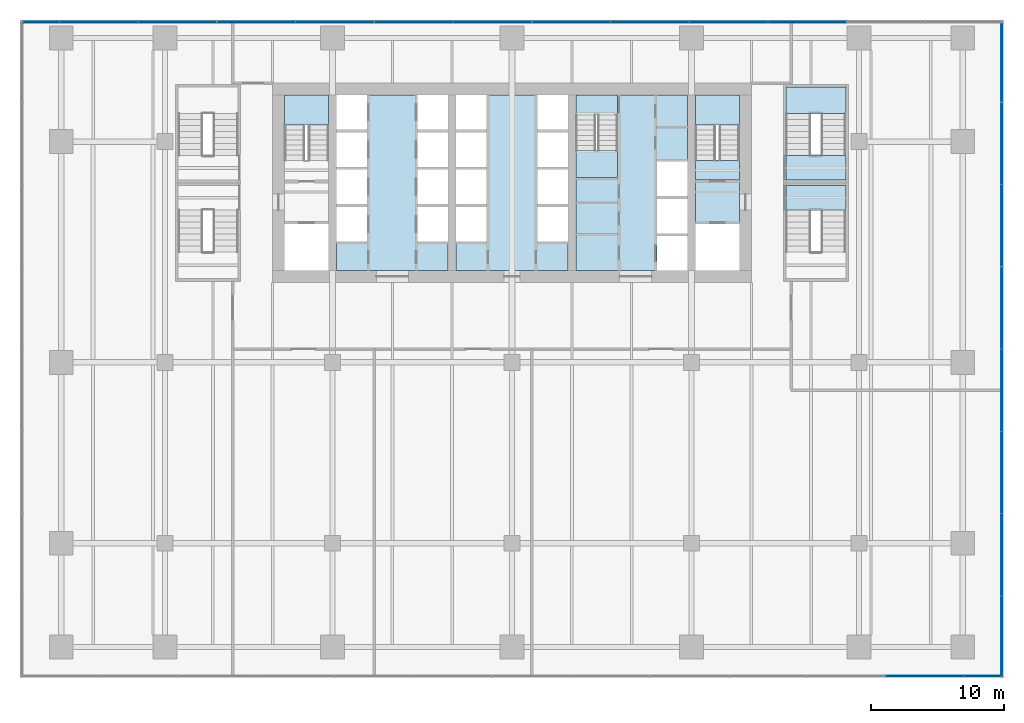
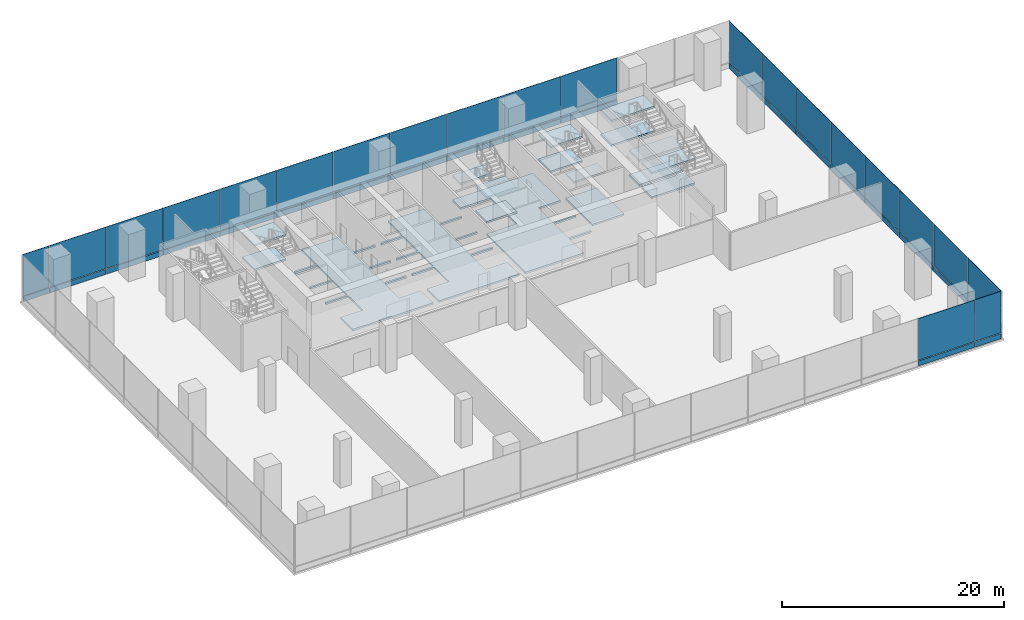
# One storey, part 18 of 26: 42 plates, 18 slabs, 8 elements without a shape of their own.
"""IFC4 building model written with IfcOpenShell, lengths in metres."""

from ifc_helpers import new_model, si_unit, direction, frame, origin, origin_2d, place, context, subcontext, project, spatial, polyline, rectangle, outline, extrude, material, layer, layer_set, type_object, element, aggregate, save


model = new_model("IFC4")

# Units and contexts
model_context = context("Model", 3, precision=1e-05, world=origin(), true_north=direction((0.0, 1.0)))
body_context = subcontext(model_context, "Body", "Model", "MODEL_VIEW")
ifc_project = project(units=[si_unit("LENGTHUNIT", "METRE"), si_unit("AREAUNIT", "SQUARE_METRE"), si_unit("VOLUMEUNIT", "CUBIC_METRE"), si_unit("PLANEANGLEUNIT", "RADIAN"), si_unit("MASSUNIT", "GRAM", prefix="KILO")], contexts=[model_context])

# Site, building, storey
site_placement = place(None, origin())
site = spatial("IfcSite", under=ifc_project, at=site_placement, CompositionType="ELEMENT")
building_placement = place(site_placement, origin())
building = spatial("IfcBuilding", under=site, at=building_placement, Name="Rattan Terrace Tower", CompositionType="ELEMENT")
storey_placement = place(building_placement, frame((0.0, 0.0, 7.199951171875)))
storey = spatial("IfcBuildingStorey", under=building, at=storey_placement, Name="L01", CompositionType="ELEMENT", Elevation=7.199951171875)

# Stair, slabs
ifc_material_1 = material(Name="Concrete C40/50", Category="concrete")
stair_type_1 = type_object("IfcStairType", Name="Core exit stair 1500", PredefinedType="HALF_TURN_STAIR", material=ifc_material_1)
stair_1_placement = place(storey_placement, origin())
stair_1 = element("IfcStair", 1, at=stair_1_placement, inside=storey, type_object=stair_type_1, Name="L01 exit stair 1", PredefinedType="HALF_TURN_STAIR")
ifc_material_2 = material(Name="Concrete C40/50", Category="concrete")
ifc_layer_1 = layer(ifc_material_2, 0.199951171875)
ifc_layer_set_1 = layer_set([ifc_layer_1], Name="Core exit stair landing")
slab_type_1 = type_object("IfcSlabType", Name="Core exit stair landing", PredefinedType="LANDING", material=ifc_layer_set_1)
slab_1_placement = place(storey_placement, frame((0.0, 0.0, 1.150146484375)))
slab_1 = element("IfcSlab", 2, at=slab_1_placement, type_object=slab_type_1, Name="S1 landing 1", PredefinedType="LANDING", context=body_context, shape_type="SweptSolid", body=[
    extrude(outline(polyline([(-13.800048828125, 4.360107421875), (-13.800048828125, 6.60009765625), (-17.10009765625, 6.60009765625), (-17.10009765625, 4.360107421875), (-13.800048828125, 4.360107421875)])), origin(), (0.0, 0.0, 1.0), 0.199951171875),
])
slab_2_placement = place(storey_placement, frame((0.0, 0.0, 3.85009765625)))
slab_2 = element("IfcSlab", 3, at=slab_2_placement, type_object=slab_type_1, Name="S1 landing 3", PredefinedType="LANDING", context=body_context, shape_type="SweptSolid", body=[
    extrude(outline(polyline([(-13.800048828125, 4.360107421875), (-13.800048828125, 6.60009765625), (-17.10009765625, 6.60009765625), (-17.10009765625, 4.360107421875), (-13.800048828125, 4.360107421875)])), origin(), (0.0, 0.0, 1.0), 0.199951171875),
])
aggregate(stair_1, [slab_1, slab_2])

stair_2_placement = place(storey_placement, origin())
stair_2 = element("IfcStair", 4, at=stair_2_placement, inside=storey, type_object=stair_type_1, Name="L01 exit stair 2", PredefinedType="HALF_TURN_STAIR")
slab_3_placement = place(storey_placement, frame((0.0, 0.0, 1.150146484375)))
slab_3 = element("IfcSlab", 5, at=slab_3_placement, type_object=slab_type_1, Name="S2 landing 1", PredefinedType="LANDING", context=body_context, shape_type="SweptSolid", body=[
    extrude(outline(polyline([(17.10009765625, 4.360107421875), (17.10009765625, 6.60009765625), (13.800048828125, 6.60009765625), (13.800048828125, 4.360107421875), (17.10009765625, 4.360107421875)])), origin(), (0.0, 0.0, 1.0), 0.199951171875),
])
slab_4_placement = place(storey_placement, frame((0.0, 0.0, 2.5)))
slab_4 = element("IfcSlab", 6, at=slab_4_placement, type_object=slab_type_1, Name="S2 landing 2", PredefinedType="LANDING", context=body_context, shape_type="SweptSolid", body=[
    extrude(outline(polyline([(17.10009765625, 0.199951171875), (17.10009765625, 1.699951171875), (13.800048828125, 1.699951171875), (13.800048828125, 0.199951171875), (17.10009765625, 0.199951171875)])), origin(), (0.0, 0.0, 1.0), 0.199951171875),
])
slab_5_placement = place(storey_placement, frame((0.0, 0.0, 3.85009765625)))
slab_5 = element("IfcSlab", 7, at=slab_5_placement, type_object=slab_type_1, Name="S2 landing 3", PredefinedType="LANDING", context=body_context, shape_type="SweptSolid", body=[
    extrude(outline(polyline([(17.10009765625, 4.360107421875), (17.10009765625, 6.60009765625), (13.800048828125, 6.60009765625), (13.800048828125, 4.360107421875), (17.10009765625, 4.360107421875)])), origin(), (0.0, 0.0, 1.0), 0.199951171875),
])
aggregate(stair_2, [slab_3, slab_4, slab_5])

stair_3_placement = place(storey_placement, origin())
stair_3 = element("IfcStair", 8, at=stair_3_placement, inside=storey, type_object=stair_type_1, Name="L01 exit stair 3", PredefinedType="HALF_TURN_STAIR")
slab_6_placement = place(storey_placement, frame((0.0, 0.0, 1.150146484375)))
slab_6 = element("IfcSlab", 9, at=slab_6_placement, type_object=slab_type_1, Name="S3 landing 1", PredefinedType="LANDING", context=body_context, shape_type="SweptSolid", body=[
    extrude(outline(polyline([(4.800048828125, 2.43994140625), (4.800048828125, 0.39990234375), (7.949951171875, 0.39990234375), (7.949951171875, 2.43994140625), (4.800048828125, 2.43994140625)])), origin(), (0.0, 0.0, 1.0), 0.199951171875),
])
slab_7_placement = place(storey_placement, frame((0.0, 0.0, 2.5)))
slab_7 = element("IfcSlab", 10, at=slab_7_placement, type_object=slab_type_1, Name="S3 landing 2", PredefinedType="LANDING", context=body_context, shape_type="SweptSolid", body=[
    extrude(outline(polyline([(4.800048828125, 6.60009765625), (4.800048828125, 5.10009765625), (7.949951171875, 5.10009765625), (7.949951171875, 6.60009765625), (4.800048828125, 6.60009765625)])), origin(), (0.0, 0.0, 1.0), 0.199951171875),
])
slab_8_placement = place(storey_placement, frame((0.0, 0.0, 3.85009765625)))
slab_8 = element("IfcSlab", 11, at=slab_8_placement, type_object=slab_type_1, Name="S3 landing 3", PredefinedType="LANDING", context=body_context, shape_type="SweptSolid", body=[
    extrude(outline(polyline([(4.800048828125, 2.43994140625), (4.800048828125, 0.39990234375), (7.949951171875, 0.39990234375), (7.949951171875, 2.43994140625), (4.800048828125, 2.43994140625)])), origin(), (0.0, 0.0, 1.0), 0.199951171875),
])
aggregate(stair_3, [slab_6, slab_7, slab_8])

# Stair, slab
ifc_material_3 = material(Name="Concrete C40/50", Category="concrete")
stair_type_2 = type_object("IfcStairType", Name="Core exit stair 1850", PredefinedType="HALF_TURN_STAIR", material=ifc_material_3)
stair_4_placement = place(storey_placement, origin())
stair_4 = element("IfcStair", 12, at=stair_4_placement, inside=storey, type_object=stair_type_2, Name="L01 exit stair 6", PredefinedType="HALF_TURN_STAIR")
slab_9_placement = place(storey_placement, frame((0.0, 0.0, 2.5)))
slab_9 = element("IfcSlab", 13, at=slab_9_placement, type_object=slab_type_1, Name="S6 landing 2", PredefinedType="LANDING", context=body_context, shape_type="SweptSolid", body=[
    extrude(outline(polyline([(20.60009765625, -0.199951171875), (20.60009765625, -2.050048828125), (25.10009765625, -2.050048828125), (25.10009765625, -0.199951171875), (20.60009765625, -0.199951171875)])), origin(), (0.0, 0.0, 1.0), 0.199951171875),
])
aggregate(stair_4, [slab_9])

# Stair, slabs
stair_5_placement = place(storey_placement, origin())
stair_5 = element("IfcStair", 14, at=stair_5_placement, inside=storey, type_object=stair_type_2, Name="L01 exit stair 7", PredefinedType="HALF_TURN_STAIR")
slab_10_placement = place(storey_placement, frame((0.0, 0.0, 1.150146484375)))
slab_10 = element("IfcSlab", 15, at=slab_10_placement, type_object=slab_type_1, Name="S7 landing 1", PredefinedType="LANDING", context=body_context, shape_type="SweptSolid", body=[
    extrude(outline(polyline([(25.10009765625, 5.199951171875), (25.10009765625, 7.199951171875), (20.60009765625, 7.199951171875), (20.60009765625, 5.199951171875), (25.10009765625, 5.199951171875)])), origin(), (0.0, 0.0, 1.0), 0.199951171875),
])
slab_11_placement = place(storey_placement, frame((0.0, 0.0, 2.5)))
slab_11 = element("IfcSlab", 16, at=slab_11_placement, type_object=slab_type_1, Name="S7 landing 2", PredefinedType="LANDING", context=body_context, shape_type="SweptSolid", body=[
    extrude(outline(polyline([(25.10009765625, 0.199951171875), (25.10009765625, 2.050048828125), (20.60009765625, 2.050048828125), (20.60009765625, 0.199951171875), (25.10009765625, 0.199951171875)])), origin(), (0.0, 0.0, 1.0), 0.199951171875),
])
slab_12_placement = place(storey_placement, frame((0.0, 0.0, 3.85009765625)))
slab_12 = element("IfcSlab", 17, at=slab_12_placement, type_object=slab_type_1, Name="S7 landing 3", PredefinedType="LANDING", context=body_context, shape_type="SweptSolid", body=[
    extrude(outline(polyline([(25.10009765625, 5.199951171875), (25.10009765625, 7.199951171875), (20.60009765625, 7.199951171875), (20.60009765625, 5.199951171875), (25.10009765625, 5.199951171875)])), origin(), (0.0, 0.0, 1.0), 0.199951171875),
])
aggregate(stair_5, [slab_10, slab_11, slab_12])

# Slabs
ifc_material_4 = material(Name="Concrete C35/45", Category="concrete")
ifc_layer_2 = layer(ifc_material_4, 0.199951171875)
ifc_layer_set_2 = layer_set([ifc_layer_2], Name="Frame composite floor slab 200")
slab_type_2 = type_object("IfcSlabType", Name="Frame composite floor slab 200", PredefinedType="FLOOR", material=ifc_layer_set_2)
slab_13_placement = place(storey_placement, frame((0.0, 0.0, -0.199951171875)))
element("IfcSlab", 18, at=slab_13_placement, inside=storey, type_object=slab_type_2, Name="Floor slab", PredefinedType="FLOOR", context=body_context, shape_type="SweptSolid", body=[
    extrude(outline(polyline([(-13.199951171875, 4.0), (-13.199951171875, 3.800048828125), (-10.89990234375, 3.800048828125), (-10.89990234375, 1.199951171875), (-13.199951171875, 1.199951171875), (-13.199951171875, 1.0), (-10.89990234375, 1.0), (-10.89990234375, -1.60009765625), (-13.199951171875, -1.60009765625), (-13.199951171875, -1.800048828125), (-10.89990234375, -1.800048828125), (-10.89990234375, -4.39990234375), (-13.199951171875, -4.39990234375), (-13.199951171875, -6.60009765625), (-4.800048828125, -6.60009765625), (-4.800048828125, -4.39990234375), (-7.10009765625, -4.39990234375), (-7.10009765625, -1.800048828125), (-4.800048828125, -1.800048828125), (-4.800048828125, -1.60009765625), (-7.10009765625, -1.60009765625), (-7.10009765625, 1.0), (-4.800048828125, 1.0), (-4.800048828125, 1.199951171875), (-7.10009765625, 1.199951171875), (-7.10009765625, 3.800048828125), (-4.800048828125, 3.800048828125), (-4.800048828125, 4.0), (-7.10009765625, 4.0), (-7.10009765625, 6.60009765625), (-10.89990234375, 6.60009765625), (-10.89990234375, 4.0), (-13.199951171875, 4.0)])), origin(), (0.0, 0.0, 1.0), 0.199951171875),
])
slab_14_placement = place(storey_placement, frame((0.0, 0.0, -0.199951171875)))
element("IfcSlab", 19, at=slab_14_placement, inside=storey, type_object=slab_type_2, Name="Floor slab", PredefinedType="FLOOR", context=body_context, shape_type="SweptSolid", body=[
    extrude(outline(polyline([(-4.199951171875, -6.60009765625), (4.199951171875, -6.60009765625), (4.199951171875, -4.39990234375), (1.89990234375, -4.39990234375), (1.89990234375, -1.800048828125), (4.199951171875, -1.800048828125), (4.199951171875, -1.60009765625), (1.89990234375, -1.60009765625), (1.89990234375, 1.0), (4.199951171875, 1.0), (4.199951171875, 1.199951171875), (1.89990234375, 1.199951171875), (1.89990234375, 3.800048828125), (4.199951171875, 3.800048828125), (4.199951171875, 4.0), (1.89990234375, 4.0), (1.89990234375, 6.60009765625), (-1.89990234375, 6.60009765625), (-1.89990234375, 4.0), (-4.199951171875, 4.0), (-4.199951171875, 3.800048828125), (-1.89990234375, 3.800048828125), (-1.89990234375, 1.199951171875), (-4.199951171875, 1.199951171875), (-4.199951171875, 1.0), (-1.89990234375, 1.0), (-1.89990234375, -1.60009765625), (-4.199951171875, -1.60009765625), (-4.199951171875, -1.800048828125), (-1.89990234375, -1.800048828125), (-1.89990234375, -4.39990234375), (-4.199951171875, -4.39990234375), (-4.199951171875, -6.60009765625)])), origin(), (0.0, 0.0, 1.0), 0.199951171875),
])
slab_15_placement = place(storey_placement, frame((0.0, 0.0, -0.199951171875)))
element("IfcSlab", 20, at=slab_15_placement, inside=storey, type_object=slab_type_2, Name="Floor slab", PredefinedType="FLOOR", context=body_context, shape_type="SweptSolid", body=[
    extrude(outline(polyline([(4.800048828125, -6.60009765625), (10.89990234375, -6.60009765625), (10.89990234375, -4.0), (13.199951171875, -4.0), (13.199951171875, -3.800048828125), (10.89990234375, -3.800048828125), (10.89990234375, -1.199951171875), (13.199951171875, -1.199951171875), (13.199951171875, -1.0), (10.89990234375, -1.0), (10.89990234375, 1.60009765625), (13.199951171875, 1.60009765625), (13.199951171875, 6.60009765625), (4.800048828125, 6.60009765625), (4.800048828125, 5.090087890625), (7.949951171875, 5.090087890625), (7.949951171875, 0.39990234375), (4.800048828125, 0.39990234375), (4.800048828125, -6.60009765625)])), origin(), (0.0, 0.0, 1.0), 0.199951171875),
])
slab_16_placement = place(storey_placement, frame((0.0, 0.0, -0.199951171875)))
element("IfcSlab", 21, at=slab_16_placement, inside=storey, type_object=slab_type_2, Name="Floor slab", PredefinedType="FLOOR", context=body_context, shape_type="SweptSolid", body=[
    extrude(outline(polyline([(17.10009765625, -3.10009765625), (17.10009765625, 1.7099609375), (13.800048828125, 1.7099609375), (13.800048828125, -3.10009765625), (17.10009765625, -3.10009765625)])), origin(), (0.0, 0.0, 1.0), 0.199951171875),
])
slab_17_placement = place(storey_placement, frame((0.0, 0.0, -0.199951171875)))
element("IfcSlab", 22, at=slab_17_placement, inside=storey, type_object=slab_type_2, Name="Floor slab", PredefinedType="FLOOR", context=body_context, shape_type="SweptSolid", body=[
    extrude(outline(polyline([(20.60009765625, -0.199951171875), (20.60009765625, -2.06005859375), (25.10009765625, -2.06005859375), (25.10009765625, -0.199951171875), (20.60009765625, -0.199951171875)])), origin(), (0.0, 0.0, 1.0), 0.199951171875),
])
slab_18_placement = place(storey_placement, frame((0.0, 0.0, -0.199951171875)))
element("IfcSlab", 23, at=slab_18_placement, inside=storey, type_object=slab_type_2, Name="Floor slab", PredefinedType="FLOOR", context=body_context, shape_type="SweptSolid", body=[
    extrude(outline(polyline([(20.60009765625, 0.199951171875), (25.10009765625, 0.199951171875), (25.10009765625, 2.06005859375), (20.60009765625, 2.06005859375), (20.60009765625, 0.199951171875)])), origin(), (0.0, 0.0, 1.0), 0.199951171875),
])

# Curtain wall, plates
ifc_material_5 = material(Name="Aluminium and glass", Category="aluminium")
ifc_layer_3 = layer(ifc_material_5, 0.1201171875)
ifc_layer_set_3 = layer_set([ifc_layer_3], Name="Station Storefront Curtain Wall")
curtain_wall_type = type_object("IfcCurtainWallType", Name="Station Storefront Curtain Wall", PredefinedType="NOTDEFINED", material=ifc_layer_set_3)
curtain_wall_1_placement = place(storey_placement, origin())
curtain_wall_1 = element("IfcCurtainWall", 24, at=curtain_wall_1_placement, inside=storey, type_object=curtain_wall_type, Name="Storefront curtain wall L01-1", PredefinedType="NOTDEFINED")
ifc_material_6 = material(Name="Granite bulkhead panel", Category="masonry")
ifc_layer_4 = layer(ifc_material_6, 0.110107421875)
ifc_layer_set_4 = layer_set([ifc_layer_4], Name="Storefront CW Stone Bulkhead Panel")
plate_type_1 = type_object("IfcPlateType", Name="Storefront CW Stone Bulkhead Panel", PredefinedType="CURTAIN_PANEL", material=ifc_layer_set_4)
plate_1_placement = place(storey_placement, frame((36.830078125, -34.08837890625, 0.0), z_axis=(0.0, 0.0, 1.0), x_axis=(0.0, 1.0, 0.0)))
plate_1 = element("IfcPlate", 25, at=plate_1_placement, type_object=plate_type_1, Name="Panel cwl-L01-001.1.1", PredefinedType="CURTAIN_PANEL", context=body_context, shape_type="SweptSolid", body=[
    extrude(rectangle(XDim=6.0029296875, YDim=0.110107421875, at=origin_2d()), origin(), (0.0, 0.0, 1.0), 0.574951171875),
])
plate_2_placement = place(storey_placement, frame((36.830078125, -27.968017578125, 0.0), z_axis=(0.0, 0.0, 1.0), x_axis=(0.0, 1.0, 0.0)))
plate_2 = element("IfcPlate", 26, at=plate_2_placement, type_object=plate_type_1, Name="Panel cwl-L01-001.2.1", PredefinedType="CURTAIN_PANEL", context=body_context, shape_type="SweptSolid", body=[
    extrude(rectangle(XDim=6.137939453125, YDim=0.110107421875, at=origin_2d()), origin(), (0.0, 0.0, 1.0), 0.574951171875),
])
plate_3_placement = place(storey_placement, frame((36.830078125, -21.780029296875, 0.0), z_axis=(0.0, 0.0, 1.0), x_axis=(0.0, 1.0, 0.0)))
plate_3 = element("IfcPlate", 27, at=plate_3_placement, type_object=plate_type_1, Name="Panel cwl-L01-001.3.1", PredefinedType="CURTAIN_PANEL", context=body_context, shape_type="SweptSolid", body=[
    extrude(rectangle(XDim=6.137939453125, YDim=0.110107421875, at=origin_2d()), origin(), (0.0, 0.0, 1.0), 0.574951171875),
])
plate_4_placement = place(storey_placement, frame((36.830078125, -15.592041015625, 0.0), z_axis=(0.0, 0.0, 1.0), x_axis=(0.0, 1.0, 0.0)))
plate_4 = element("IfcPlate", 28, at=plate_4_placement, type_object=plate_type_1, Name="Panel cwl-L01-001.4.1", PredefinedType="CURTAIN_PANEL", context=body_context, shape_type="SweptSolid", body=[
    extrude(rectangle(XDim=6.137939453125, YDim=0.110107421875, at=origin_2d()), origin(), (0.0, 0.0, 1.0), 0.574951171875),
])
plate_5_placement = place(storey_placement, frame((36.830078125, -9.404052734375, 0.0), z_axis=(0.0, 0.0, 1.0), x_axis=(0.0, 1.0, 0.0)))
plate_5 = element("IfcPlate", 29, at=plate_5_placement, type_object=plate_type_1, Name="Panel cwl-L01-001.5.1", PredefinedType="CURTAIN_PANEL", context=body_context, shape_type="SweptSolid", body=[
    extrude(rectangle(XDim=6.137939453125, YDim=0.110107421875, at=origin_2d()), origin(), (0.0, 0.0, 1.0), 0.574951171875),
])
plate_6_placement = place(storey_placement, frame((36.830078125, -3.216064453125, 0.0), z_axis=(0.0, 0.0, 1.0), x_axis=(0.0, 1.0, 0.0)))
plate_6 = element("IfcPlate", 30, at=plate_6_placement, type_object=plate_type_1, Name="Panel cwl-L01-001.6.1", PredefinedType="CURTAIN_PANEL", context=body_context, shape_type="SweptSolid", body=[
    extrude(rectangle(XDim=6.137939453125, YDim=0.110107421875, at=origin_2d()), origin(), (0.0, 0.0, 1.0), 0.574951171875),
])
plate_7_placement = place(storey_placement, frame((36.830078125, 2.971923828125, 0.0), z_axis=(0.0, 0.0, 1.0), x_axis=(0.0, 1.0, 0.0)))
plate_7 = element("IfcPlate", 31, at=plate_7_placement, type_object=plate_type_1, Name="Panel cwl-L01-001.7.1", PredefinedType="CURTAIN_PANEL", context=body_context, shape_type="SweptSolid", body=[
    extrude(rectangle(XDim=6.137939453125, YDim=0.110107421875, at=origin_2d()), origin(), (0.0, 0.0, 1.0), 0.574951171875),
])
plate_8_placement = place(storey_placement, frame((36.830078125, 9.055419921875, 0.0), z_axis=(0.0, 0.0, 1.0), x_axis=(0.0, 1.0, 0.0)))
plate_8 = element("IfcPlate", 32, at=plate_8_placement, type_object=plate_type_1, Name="Panel cwl-L01-001.8.1", PredefinedType="CURTAIN_PANEL", context=body_context, shape_type="SweptSolid", body=[
    extrude(rectangle(XDim=5.928955078125, YDim=0.110107421875, at=origin_2d()), origin(), (0.0, 0.0, 1.0), 0.574951171875),
])

curtain_wall_2_placement = place(storey_placement, origin())
curtain_wall_2 = element("IfcCurtainWall", 33, at=curtain_wall_2_placement, inside=storey, type_object=curtain_wall_type, Name="Storefront curtain wall L01-2", PredefinedType="NOTDEFINED")
plate_9_placement = place(storey_placement, frame((22.199951171875, 12.080078125, 0.0), z_axis=(0.0, 0.0, 1.0), x_axis=(-1.0, 0.0, 0.0)))
plate_9 = element("IfcPlate", 34, at=plate_9_placement, type_object=plate_type_1, Name="Panel cwl-L01-002.3.1", PredefinedType="CURTAIN_PANEL", context=body_context, shape_type="SweptSolid", body=[
    extrude(rectangle(XDim=5.8701171875, YDim=0.110107421875, at=origin_2d()), origin(), (0.0, 0.0, 1.0), 0.574951171875),
])
plate_10_placement = place(storey_placement, frame((16.280029296875, 12.080078125, 0.0), z_axis=(0.0, 0.0, 1.0), x_axis=(-1.0, 0.0, 0.0)))
plate_10 = element("IfcPlate", 35, at=plate_10_placement, type_object=plate_type_1, Name="Panel cwl-L01-002.4.1", PredefinedType="CURTAIN_PANEL", context=body_context, shape_type="SweptSolid", body=[
    extrude(rectangle(XDim=5.8701171875, YDim=0.110107421875, at=origin_2d()), origin(), (0.0, 0.0, 1.0), 0.574951171875),
])
plate_11_placement = place(storey_placement, frame((10.360107421875, 12.080078125, 0.0), z_axis=(0.0, 0.0, 1.0), x_axis=(-1.0, 0.0, 0.0)))
plate_11 = element("IfcPlate", 36, at=plate_11_placement, type_object=plate_type_1, Name="Panel cwl-L01-002.5.1", PredefinedType="CURTAIN_PANEL", context=body_context, shape_type="SweptSolid", body=[
    extrude(rectangle(XDim=5.8701171875, YDim=0.110107421875, at=origin_2d()), origin(), (0.0, 0.0, 1.0), 0.574951171875),
])
plate_12_placement = place(storey_placement, frame((4.43994140625, 12.080078125, 0.0), z_axis=(0.0, 0.0, 1.0), x_axis=(-1.0, 0.0, 0.0)))
plate_12 = element("IfcPlate", 37, at=plate_12_placement, type_object=plate_type_1, Name="Panel cwl-L01-002.6.1", PredefinedType="CURTAIN_PANEL", context=body_context, shape_type="SweptSolid", body=[
    extrude(rectangle(XDim=5.8701171875, YDim=0.110107421875, at=origin_2d()), origin(), (0.0, 0.0, 1.0), 0.574951171875),
])
plate_13_placement = place(storey_placement, frame((-1.47998046875, 12.080078125, 0.0), z_axis=(0.0, 0.0, 1.0), x_axis=(-1.0, 0.0, 0.0)))
plate_13 = element("IfcPlate", 38, at=plate_13_placement, type_object=plate_type_1, Name="Panel cwl-L01-002.7.1", PredefinedType="CURTAIN_PANEL", context=body_context, shape_type="SweptSolid", body=[
    extrude(rectangle(XDim=5.8701171875, YDim=0.110107421875, at=origin_2d()), origin(), (0.0, 0.0, 1.0), 0.574951171875),
])
plate_14_placement = place(storey_placement, frame((-7.39990234375, 12.080078125, 0.0), z_axis=(0.0, 0.0, 1.0), x_axis=(-1.0, 0.0, 0.0)))
plate_14 = element("IfcPlate", 39, at=plate_14_placement, type_object=plate_type_1, Name="Panel cwl-L01-002.8.1", PredefinedType="CURTAIN_PANEL", context=body_context, shape_type="SweptSolid", body=[
    extrude(rectangle(XDim=5.8701171875, YDim=0.110107421875, at=origin_2d()), origin(), (0.0, 0.0, 1.0), 0.574951171875),
])
plate_15_placement = place(storey_placement, frame((-13.320068359375, 12.080078125, 0.0), z_axis=(0.0, 0.0, 1.0), x_axis=(-1.0, 0.0, 0.0)))
plate_15 = element("IfcPlate", 40, at=plate_15_placement, type_object=plate_type_1, Name="Panel cwl-L01-002.9.1", PredefinedType="CURTAIN_PANEL", context=body_context, shape_type="SweptSolid", body=[
    extrude(rectangle(XDim=5.8701171875, YDim=0.110107421875, at=origin_2d()), origin(), (0.0, 0.0, 1.0), 0.574951171875),
])
plate_16_placement = place(storey_placement, frame((-19.239990234375, 12.080078125, 0.0), z_axis=(0.0, 0.0, 1.0), x_axis=(-1.0, 0.0, 0.0)))
plate_16 = element("IfcPlate", 41, at=plate_16_placement, type_object=plate_type_1, Name="Panel cwl-L01-002.10.1", PredefinedType="CURTAIN_PANEL", context=body_context, shape_type="SweptSolid", body=[
    extrude(rectangle(XDim=5.8701171875, YDim=0.110107421875, at=origin_2d()), origin(), (0.0, 0.0, 1.0), 0.574951171875),
])
plate_17_placement = place(storey_placement, frame((-25.159912109375, 12.080078125, 0.0), z_axis=(0.0, 0.0, 1.0), x_axis=(-1.0, 0.0, 0.0)))
plate_17 = element("IfcPlate", 42, at=plate_17_placement, type_object=plate_type_1, Name="Panel cwl-L01-002.11.1", PredefinedType="CURTAIN_PANEL", context=body_context, shape_type="SweptSolid", body=[
    extrude(rectangle(XDim=5.8701171875, YDim=0.110107421875, at=origin_2d()), origin(), (0.0, 0.0, 1.0), 0.574951171875),
])
plate_18_placement = place(storey_placement, frame((-31.080078125, 12.080078125, 0.0), z_axis=(0.0, 0.0, 1.0), x_axis=(-1.0, 0.0, 0.0)))
plate_18 = element("IfcPlate", 43, at=plate_18_placement, type_object=plate_type_1, Name="Panel cwl-L01-002.12.1", PredefinedType="CURTAIN_PANEL", context=body_context, shape_type="SweptSolid", body=[
    extrude(rectangle(XDim=5.8701171875, YDim=0.110107421875, at=origin_2d()), origin(), (0.0, 0.0, 1.0), 0.574951171875),
])
plate_19_placement = place(storey_placement, frame((-35.41748046875, 12.080078125, 0.0), z_axis=(0.0, 0.0, 1.0), x_axis=(-1.0, 0.0, 0.0)))
plate_19 = element("IfcPlate", 44, at=plate_19_placement, type_object=plate_type_1, Name="Panel cwl-L01-002.13.1", PredefinedType="CURTAIN_PANEL", context=body_context, shape_type="SweptSolid", body=[
    extrude(rectangle(XDim=2.705078125, YDim=0.110107421875, at=origin_2d()), origin(), (0.0, 0.0, 1.0), 0.574951171875),
])

curtain_wall_3_placement = place(storey_placement, origin())
curtain_wall_3 = element("IfcCurtainWall", 45, at=curtain_wall_3_placement, inside=storey, type_object=curtain_wall_type, Name="Storefront curtain wall L01-4", PredefinedType="NOTDEFINED")
plate_20_placement = place(storey_placement, frame((31.080078125, -37.080078125, 0.0), z_axis=(0.0, 0.0, 1.0), x_axis=(1.0, 0.0, 0.0)))
plate_20 = element("IfcPlate", 46, at=plate_20_placement, type_object=plate_type_1, Name="Panel cwl-L01-004.12.1", PredefinedType="CURTAIN_PANEL", context=body_context, shape_type="SweptSolid", body=[
    extrude(rectangle(XDim=5.8701171875, YDim=0.110107421875, at=origin_2d()), origin(), (0.0, 0.0, 1.0), 0.574951171875),
])
plate_21_placement = place(storey_placement, frame((35.41748046875, -37.080078125, 0.0), z_axis=(0.0, 0.0, 1.0), x_axis=(1.0, 0.0, 0.0)))
plate_21 = element("IfcPlate", 47, at=plate_21_placement, type_object=plate_type_1, Name="Panel cwl-L01-004.13.1", PredefinedType="CURTAIN_PANEL", context=body_context, shape_type="SweptSolid", body=[
    extrude(rectangle(XDim=2.705078125, YDim=0.110107421875, at=origin_2d()), origin(), (0.0, 0.0, 1.0), 0.574951171875),
])

# Plate
ifc_material_7 = material(Name="Clear toughened glass", Category="glass")
ifc_layer_5 = layer(ifc_material_7, 0.0439453125)
ifc_layer_set_5 = layer_set([ifc_layer_5], Name="Storefront CW Vision Panel")
plate_type_2 = type_object("IfcPlateType", Name="Storefront CW Vision Panel", PredefinedType="CURTAIN_PANEL", material=ifc_layer_set_5)
plate_22_placement = place(storey_placement, frame((36.830078125, -34.08837890625, 0.625), z_axis=(0.0, 0.0, 1.0), x_axis=(0.0, 1.0, 0.0)))
plate_22 = element("IfcPlate", 48, at=plate_22_placement, type_object=plate_type_2, Name="Panel cwl-L01-001.1.2", PredefinedType="CURTAIN_PANEL", context=body_context, shape_type="SweptSolid", body=[
    extrude(rectangle(XDim=6.0029296875, YDim=0.0439453125, at=origin_2d()), origin(), (0.0, 0.0, 1.0), 4.574951171875),
])

plate_23_placement = place(storey_placement, frame((36.830078125, -27.968017578125, 0.625), z_axis=(0.0, 0.0, 1.0), x_axis=(0.0, 1.0, 0.0)))
plate_23 = element("IfcPlate", 49, at=plate_23_placement, type_object=plate_type_2, Name="Panel cwl-L01-001.2.2", PredefinedType="CURTAIN_PANEL", context=body_context, shape_type="SweptSolid", body=[
    extrude(rectangle(XDim=6.137939453125, YDim=0.0439453125, at=origin_2d()), origin(), (0.0, 0.0, 1.0), 4.574951171875),
])

plate_24_placement = place(storey_placement, frame((36.830078125, -21.780029296875, 0.625), z_axis=(0.0, 0.0, 1.0), x_axis=(0.0, 1.0, 0.0)))
plate_24 = element("IfcPlate", 50, at=plate_24_placement, type_object=plate_type_2, Name="Panel cwl-L01-001.3.2", PredefinedType="CURTAIN_PANEL", context=body_context, shape_type="SweptSolid", body=[
    extrude(rectangle(XDim=6.137939453125, YDim=0.0439453125, at=origin_2d()), origin(), (0.0, 0.0, 1.0), 4.574951171875),
])

plate_25_placement = place(storey_placement, frame((36.830078125, -15.592041015625, 0.625), z_axis=(0.0, 0.0, 1.0), x_axis=(0.0, 1.0, 0.0)))
plate_25 = element("IfcPlate", 51, at=plate_25_placement, type_object=plate_type_2, Name="Panel cwl-L01-001.4.2", PredefinedType="CURTAIN_PANEL", context=body_context, shape_type="SweptSolid", body=[
    extrude(rectangle(XDim=6.137939453125, YDim=0.0439453125, at=origin_2d()), origin(), (0.0, 0.0, 1.0), 4.574951171875),
])

plate_26_placement = place(storey_placement, frame((36.830078125, -9.404052734375, 0.625), z_axis=(0.0, 0.0, 1.0), x_axis=(0.0, 1.0, 0.0)))
plate_26 = element("IfcPlate", 52, at=plate_26_placement, type_object=plate_type_2, Name="Panel cwl-L01-001.5.2", PredefinedType="CURTAIN_PANEL", context=body_context, shape_type="SweptSolid", body=[
    extrude(rectangle(XDim=6.137939453125, YDim=0.0439453125, at=origin_2d()), origin(), (0.0, 0.0, 1.0), 4.574951171875),
])

plate_27_placement = place(storey_placement, frame((36.830078125, -3.216064453125, 0.625), z_axis=(0.0, 0.0, 1.0), x_axis=(0.0, 1.0, 0.0)))
plate_27 = element("IfcPlate", 53, at=plate_27_placement, type_object=plate_type_2, Name="Panel cwl-L01-001.6.2", PredefinedType="CURTAIN_PANEL", context=body_context, shape_type="SweptSolid", body=[
    extrude(rectangle(XDim=6.137939453125, YDim=0.0439453125, at=origin_2d()), origin(), (0.0, 0.0, 1.0), 4.574951171875),
])

plate_28_placement = place(storey_placement, frame((36.830078125, 2.971923828125, 0.625), z_axis=(0.0, 0.0, 1.0), x_axis=(0.0, 1.0, 0.0)))
plate_28 = element("IfcPlate", 54, at=plate_28_placement, type_object=plate_type_2, Name="Panel cwl-L01-001.7.2", PredefinedType="CURTAIN_PANEL", context=body_context, shape_type="SweptSolid", body=[
    extrude(rectangle(XDim=6.137939453125, YDim=0.0439453125, at=origin_2d()), origin(), (0.0, 0.0, 1.0), 4.574951171875),
])

plate_29_placement = place(storey_placement, frame((36.830078125, 9.055419921875, 0.625), z_axis=(0.0, 0.0, 1.0), x_axis=(0.0, 1.0, 0.0)))
plate_29 = element("IfcPlate", 55, at=plate_29_placement, type_object=plate_type_2, Name="Panel cwl-L01-001.8.2", PredefinedType="CURTAIN_PANEL", context=body_context, shape_type="SweptSolid", body=[
    extrude(rectangle(XDim=5.928955078125, YDim=0.0439453125, at=origin_2d()), origin(), (0.0, 0.0, 1.0), 4.574951171875),
])

aggregate(curtain_wall_1, [plate_1, plate_22, plate_2, plate_23, plate_3, plate_24, plate_4, plate_25, plate_5, plate_26, plate_6, plate_27, plate_7, plate_28, plate_8, plate_29])

plate_30_placement = place(storey_placement, frame((22.199951171875, 12.080078125, 0.625), z_axis=(0.0, 0.0, 1.0), x_axis=(-1.0, 0.0, 0.0)))
plate_30 = element("IfcPlate", 56, at=plate_30_placement, type_object=plate_type_2, Name="Panel cwl-L01-002.3.2", PredefinedType="CURTAIN_PANEL", context=body_context, shape_type="SweptSolid", body=[
    extrude(rectangle(XDim=5.8701171875, YDim=0.0439453125, at=origin_2d()), origin(), (0.0, 0.0, 1.0), 4.574951171875),
])

plate_31_placement = place(storey_placement, frame((16.280029296875, 12.080078125, 0.625), z_axis=(0.0, 0.0, 1.0), x_axis=(-1.0, 0.0, 0.0)))
plate_31 = element("IfcPlate", 57, at=plate_31_placement, type_object=plate_type_2, Name="Panel cwl-L01-002.4.2", PredefinedType="CURTAIN_PANEL", context=body_context, shape_type="SweptSolid", body=[
    extrude(rectangle(XDim=5.8701171875, YDim=0.0439453125, at=origin_2d()), origin(), (0.0, 0.0, 1.0), 4.574951171875),
])

plate_32_placement = place(storey_placement, frame((10.360107421875, 12.080078125, 0.625), z_axis=(0.0, 0.0, 1.0), x_axis=(-1.0, 0.0, 0.0)))
plate_32 = element("IfcPlate", 58, at=plate_32_placement, type_object=plate_type_2, Name="Panel cwl-L01-002.5.2", PredefinedType="CURTAIN_PANEL", context=body_context, shape_type="SweptSolid", body=[
    extrude(rectangle(XDim=5.8701171875, YDim=0.0439453125, at=origin_2d()), origin(), (0.0, 0.0, 1.0), 4.574951171875),
])

plate_33_placement = place(storey_placement, frame((4.43994140625, 12.080078125, 0.625), z_axis=(0.0, 0.0, 1.0), x_axis=(-1.0, 0.0, 0.0)))
plate_33 = element("IfcPlate", 59, at=plate_33_placement, type_object=plate_type_2, Name="Panel cwl-L01-002.6.2", PredefinedType="CURTAIN_PANEL", context=body_context, shape_type="SweptSolid", body=[
    extrude(rectangle(XDim=5.8701171875, YDim=0.0439453125, at=origin_2d()), origin(), (0.0, 0.0, 1.0), 4.574951171875),
])

plate_34_placement = place(storey_placement, frame((-1.47998046875, 12.080078125, 0.625), z_axis=(0.0, 0.0, 1.0), x_axis=(-1.0, 0.0, 0.0)))
plate_34 = element("IfcPlate", 60, at=plate_34_placement, type_object=plate_type_2, Name="Panel cwl-L01-002.7.2", PredefinedType="CURTAIN_PANEL", context=body_context, shape_type="SweptSolid", body=[
    extrude(rectangle(XDim=5.8701171875, YDim=0.0439453125, at=origin_2d()), origin(), (0.0, 0.0, 1.0), 4.574951171875),
])

plate_35_placement = place(storey_placement, frame((-7.39990234375, 12.080078125, 0.625), z_axis=(0.0, 0.0, 1.0), x_axis=(-1.0, 0.0, 0.0)))
plate_35 = element("IfcPlate", 61, at=plate_35_placement, type_object=plate_type_2, Name="Panel cwl-L01-002.8.2", PredefinedType="CURTAIN_PANEL", context=body_context, shape_type="SweptSolid", body=[
    extrude(rectangle(XDim=5.8701171875, YDim=0.0439453125, at=origin_2d()), origin(), (0.0, 0.0, 1.0), 4.574951171875),
])

plate_36_placement = place(storey_placement, frame((-13.320068359375, 12.080078125, 0.625), z_axis=(0.0, 0.0, 1.0), x_axis=(-1.0, 0.0, 0.0)))
plate_36 = element("IfcPlate", 62, at=plate_36_placement, type_object=plate_type_2, Name="Panel cwl-L01-002.9.2", PredefinedType="CURTAIN_PANEL", context=body_context, shape_type="SweptSolid", body=[
    extrude(rectangle(XDim=5.8701171875, YDim=0.0439453125, at=origin_2d()), origin(), (0.0, 0.0, 1.0), 4.574951171875),
])

plate_37_placement = place(storey_placement, frame((-19.239990234375, 12.080078125, 0.625), z_axis=(0.0, 0.0, 1.0), x_axis=(-1.0, 0.0, 0.0)))
plate_37 = element("IfcPlate", 63, at=plate_37_placement, type_object=plate_type_2, Name="Panel cwl-L01-002.10.2", PredefinedType="CURTAIN_PANEL", context=body_context, shape_type="SweptSolid", body=[
    extrude(rectangle(XDim=5.8701171875, YDim=0.0439453125, at=origin_2d()), origin(), (0.0, 0.0, 1.0), 4.574951171875),
])

plate_38_placement = place(storey_placement, frame((-25.159912109375, 12.080078125, 0.625), z_axis=(0.0, 0.0, 1.0), x_axis=(-1.0, 0.0, 0.0)))
plate_38 = element("IfcPlate", 64, at=plate_38_placement, type_object=plate_type_2, Name="Panel cwl-L01-002.11.2", PredefinedType="CURTAIN_PANEL", context=body_context, shape_type="SweptSolid", body=[
    extrude(rectangle(XDim=5.8701171875, YDim=0.0439453125, at=origin_2d()), origin(), (0.0, 0.0, 1.0), 4.574951171875),
])

plate_39_placement = place(storey_placement, frame((-31.080078125, 12.080078125, 0.625), z_axis=(0.0, 0.0, 1.0), x_axis=(-1.0, 0.0, 0.0)))
plate_39 = element("IfcPlate", 65, at=plate_39_placement, type_object=plate_type_2, Name="Panel cwl-L01-002.12.2", PredefinedType="CURTAIN_PANEL", context=body_context, shape_type="SweptSolid", body=[
    extrude(rectangle(XDim=5.8701171875, YDim=0.0439453125, at=origin_2d()), origin(), (0.0, 0.0, 1.0), 4.574951171875),
])

plate_40_placement = place(storey_placement, frame((-35.41748046875, 12.080078125, 0.625), z_axis=(0.0, 0.0, 1.0), x_axis=(-1.0, 0.0, 0.0)))
plate_40 = element("IfcPlate", 66, at=plate_40_placement, type_object=plate_type_2, Name="Panel cwl-L01-002.13.2", PredefinedType="CURTAIN_PANEL", context=body_context, shape_type="SweptSolid", body=[
    extrude(rectangle(XDim=2.705078125, YDim=0.0439453125, at=origin_2d()), origin(), (0.0, 0.0, 1.0), 4.574951171875),
])

aggregate(curtain_wall_2, [plate_9, plate_30, plate_10, plate_31, plate_11, plate_32, plate_12, plate_33, plate_13, plate_34, plate_14, plate_35, plate_15, plate_36, plate_16, plate_37, plate_17, plate_38, plate_18, plate_39, plate_19, plate_40])

plate_41_placement = place(storey_placement, frame((31.080078125, -37.080078125, 0.625), z_axis=(0.0, 0.0, 1.0), x_axis=(1.0, 0.0, 0.0)))
plate_41 = element("IfcPlate", 67, at=plate_41_placement, type_object=plate_type_2, Name="Panel cwl-L01-004.12.2", PredefinedType="CURTAIN_PANEL", context=body_context, shape_type="SweptSolid", body=[
    extrude(rectangle(XDim=5.8701171875, YDim=0.0439453125, at=origin_2d()), origin(), (0.0, 0.0, 1.0), 4.574951171875),
])

plate_42_placement = place(storey_placement, frame((35.41748046875, -37.080078125, 0.625), z_axis=(0.0, 0.0, 1.0), x_axis=(1.0, 0.0, 0.0)))
plate_42 = element("IfcPlate", 68, at=plate_42_placement, type_object=plate_type_2, Name="Panel cwl-L01-004.13.2", PredefinedType="CURTAIN_PANEL", context=body_context, shape_type="SweptSolid", body=[
    extrude(rectangle(XDim=2.705078125, YDim=0.0439453125, at=origin_2d()), origin(), (0.0, 0.0, 1.0), 4.574951171875),
])

aggregate(curtain_wall_3, [plate_20, plate_41, plate_21, plate_42])

save(model, "model.ifc")
